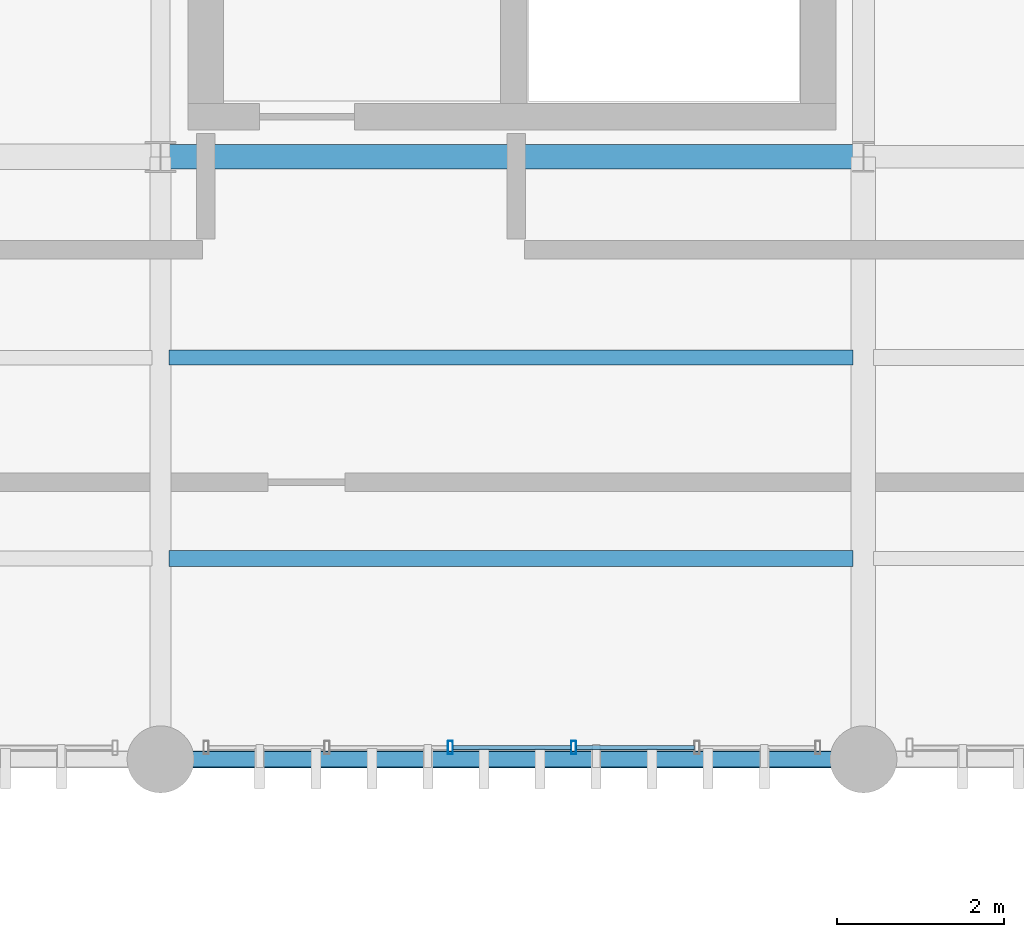
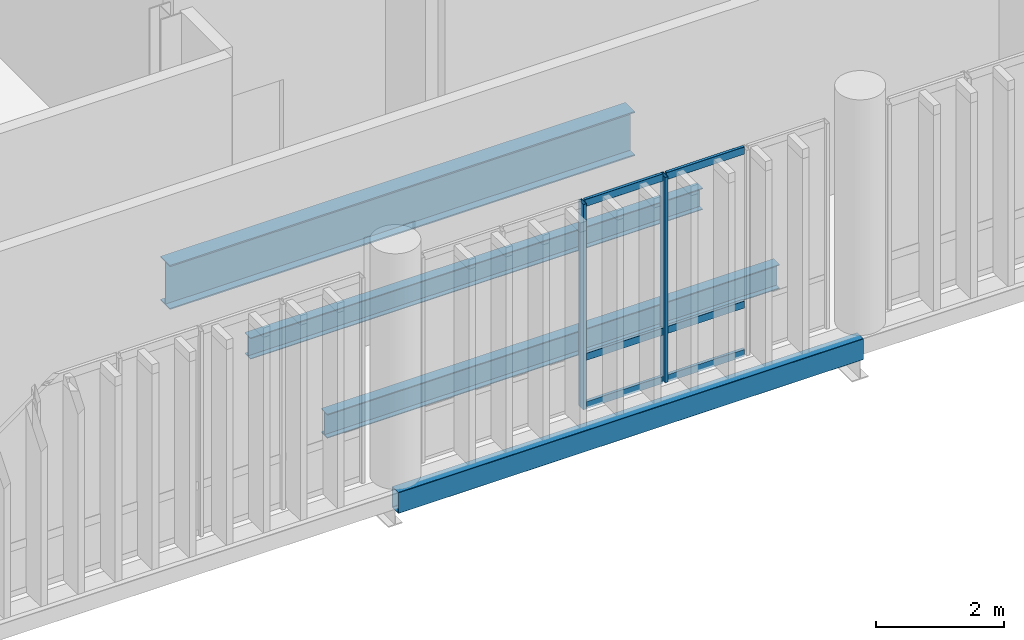
# One storey, part 28 of 68: 8 members, 4 beams, 1 element without a shape of its own.
"""IFC4 building model written with IfcOpenShell, lengths in metres."""

from ifc_helpers import new_model, si_unit, direction, frame, origin_with_axes, origin_2d_with_axis, place, context, subcontext, project, spatial, hollow_rectangle, i_section, extrude, material, material_profile, profile_set, type_object, element, aggregate, save


model = new_model("IFC4")

# Units and contexts
model_context = context("Model", 3, precision=1e-05, world=origin_with_axes(), true_north=direction((0.0, 1.0)))
body_context = subcontext(model_context, "Body", "Model", "MODEL_VIEW")
ifc_project = project(units=[si_unit("LENGTHUNIT", "METRE"), si_unit("AREAUNIT", "SQUARE_METRE"), si_unit("VOLUMEUNIT", "CUBIC_METRE"), si_unit("PLANEANGLEUNIT", "RADIAN"), si_unit("MASSUNIT", "GRAM", prefix="KILO"), si_unit("THERMODYNAMICTEMPERATUREUNIT", "KELVIN")], contexts=[model_context])

# Site, building, storey
site_placement = place(None, origin_with_axes())
site = spatial("IfcSite", under=ifc_project, at=site_placement, CompositionType="ELEMENT")
building_placement = place(site_placement, origin_with_axes())
building = spatial("IfcBuilding", under=site, at=building_placement, Name="Montbau Bow Law Courts", CompositionType="ELEMENT")
storey_placement = place(building_placement, frame((0.0, 0.0, 20.4), z_axis=(0.0, 0.0, 1.0), x_axis=(1.0, 0.0, 0.0)))
storey = spatial("IfcBuildingStorey", under=building, at=storey_placement, Name="L04", CompositionType="ELEMENT", Elevation=20.4)

# Beams
ifc_material_1 = material(Name="Steel CSA G40.21 Grade 350W (350 MPa)", Category="steel")
ifc_material_profile_1 = material_profile(ifc_material_1, i_section(OverallWidth=0.293, OverallDepth=0.846, WebThickness=0.0154, FlangeThickness=0.0244, at=origin_2d_with_axis()), Name="W840X210", Category="Main", Priority=0)
ifc_profile_set_1 = profile_set([ifc_material_profile_1], Name="Steel CSA G40.21 Grade 350W (350 MPa)")
beam_type_1 = type_object("IfcBeamType", Name="B-FLR-02", PredefinedType="BEAM", material=ifc_profile_set_1)
beam_1_placement = place(None, frame((80.4, 46.2, 19.697), z_axis=(1.0, 0.0, 0.0), x_axis=(0.0, 1.0, 0.0)))
element("IfcBeam", 1, at=beam_1_placement, inside=storey, type_object=beam_type_1, Name="BM-L04-S0925:bm2_0928", PredefinedType="BEAM", context=body_context, shape_type="SweptSolid", body=[
    extrude(i_section(OverallWidth=0.293, OverallDepth=0.846, WebThickness=0.0154, FlangeThickness=0.0244, at=origin_2d_with_axis()), origin_with_axes(), (0.0, 0.0, 1.0), 8.4),
])
ifc_material_profile_2 = material_profile(ifc_material_1, i_section(OverallWidth=0.191, OverallDepth=0.46, WebThickness=0.0099, FlangeThickness=0.016, at=origin_2d_with_axis()), Name="W460X82", Category="Main", Priority=0)
ifc_profile_set_2 = profile_set([ifc_material_profile_2], Name="Steel CSA G40.21 Grade 350W (350 MPa)")
beam_type_2 = type_object("IfcBeamType", Name="B-JST-01", PredefinedType="JOIST", material=ifc_profile_set_2)
beam_2_placement = place(None, frame((80.503, 41.4, 19.89), z_axis=(1.0, 0.0, 0.0), x_axis=(0.0, 1.0, 0.0)))
element("IfcBeam", 2, at=beam_2_placement, inside=storey, type_object=beam_type_2, Name="JST-L04-S0488:jst2_0488", PredefinedType="JOIST", context=body_context, shape_type="SweptSolid", body=[
    extrude(i_section(OverallWidth=0.191, OverallDepth=0.46, WebThickness=0.0099, FlangeThickness=0.016, at=origin_2d_with_axis()), origin_with_axes(), (0.0, 0.0, 1.0), 8.174),
])
ifc_material_profile_3 = material_profile(ifc_material_1, i_section(OverallWidth=0.179, OverallDepth=0.41, WebThickness=0.0088, FlangeThickness=0.0144, at=origin_2d_with_axis()), Name="W410X67", Category="Main", Priority=0)
ifc_profile_set_3 = profile_set([ifc_material_profile_3], Name="Steel CSA G40.21 Grade 350W (350 MPa)")
beam_type_3 = type_object("IfcBeamType", Name="B-JST-02", PredefinedType="JOIST", material=ifc_profile_set_3)
beam_3_placement = place(None, frame((80.503, 43.8, 19.915), z_axis=(1.0, 0.0, 0.0), x_axis=(0.0, 1.0, 0.0)))
element("IfcBeam", 3, at=beam_3_placement, inside=storey, type_object=beam_type_3, Name="JST-L04-S0489:jst2_0489", PredefinedType="JOIST", context=body_context, shape_type="SweptSolid", body=[
    extrude(i_section(OverallWidth=0.179, OverallDepth=0.41, WebThickness=0.0088, FlangeThickness=0.0144, at=origin_2d_with_axis()), origin_with_axes(), (0.0, 0.0, 1.0), 8.174),
])
ifc_material_2 = material(Name="Steel CSA G40.21 Grade 350WT (350 MPa)", Category="steel")
ifc_material_profile_4 = material_profile(ifc_material_2, hollow_rectangle(XDim=0.203, YDim=0.406, WallThickness=0.0127, InnerFilletRadius=0.0254, OuterFilletRadius=0.0127, at=origin_2d_with_axis()), Name="HSS406X203X13", Category="Main", Priority=0)
ifc_profile_set_4 = profile_set([ifc_material_profile_4], Name="Steel CSA G40.21 Grade 350WT (350 MPa)")
beam_type_4 = type_object("IfcBeamType", Name="B-SPN-01", PredefinedType="SPANDREL", material=ifc_profile_set_4)
beam_4_placement = place(None, frame((80.4, 39.0, 19.917), z_axis=(1.0, 0.0, 0.0), x_axis=(0.0, 1.0, 0.0)))
element("IfcBeam", 4, at=beam_4_placement, inside=storey, type_object=beam_type_4, Name="SPN-L04-S0919:bm2_0922", PredefinedType="SPANDREL", context=body_context, shape_type="SweptSolid", body=[
    extrude(hollow_rectangle(XDim=0.203, YDim=0.406, WallThickness=0.0127, InnerFilletRadius=0.0254, OuterFilletRadius=0.0127, at=origin_2d_with_axis()), origin_with_axes(), (0.0, 0.0, 1.0), 8.4),
])

# Curtain wall, members
ifc_material_3 = material(Name="Thermally Broken Extruded Aluminium AA 6063-T6", Category="aluminium")
curtain_wall_type = type_object("IfcCurtainWallType", Name="CW-CRM-01", PredefinedType="NOTDEFINED", material=ifc_material_3)
curtain_wall_placement = place(None, frame((80.915, 39.14, 20.4), z_axis=(0.0, 0.0, 1.0), x_axis=(1.0, 0.0, 0.0)))
curtain_wall = element("IfcCurtainWall", 5, at=curtain_wall_placement, inside=storey, type_object=curtain_wall_type, Name="CW-L04-197:cw_0197", PredefinedType="NOTDEFINED")
ifc_material_profile_5 = material_profile(ifc_material_3, hollow_rectangle(XDim=0.06, YDim=0.16, WallThickness=0.004, InnerFilletRadius=0.008, OuterFilletRadius=0.004, at=origin_2d_with_axis()), Name="CWM-160X60", Category="Main", Priority=0)
ifc_profile_set_5 = profile_set([ifc_material_profile_5], Name="Thermally Broken Extruded Aluminium AA 6063-T6")
member_type_1 = type_object("IfcMemberType", Name="M-MUL-03", PredefinedType="MULLION", material=ifc_profile_set_5)
member_1_placement = place(None, frame((83.863, 39.14, 20.4), z_axis=(0.0, 0.0, 1.0), x_axis=(1.0, 0.0, 0.0)))
member_1 = element("IfcMember", 6, at=member_1_placement, type_object=member_type_1, Name="CW-L04-197-M03:cw_0197_M03", PredefinedType="MULLION", context=body_context, shape_type="SweptSolid", body=[
    extrude(hollow_rectangle(XDim=0.06, YDim=0.16, WallThickness=0.004, InnerFilletRadius=0.008, OuterFilletRadius=0.004, at=origin_2d_with_axis()), origin_with_axes(), (0.0, 0.0, 1.0), 3.92),
])
member_2_placement = place(None, frame((85.337, 39.14, 20.4), z_axis=(0.0, 0.0, 1.0), x_axis=(1.0, 0.0, 0.0)))
member_2 = element("IfcMember", 7, at=member_2_placement, type_object=member_type_1, Name="CW-L04-197-M04:cw_0197_M04", PredefinedType="MULLION", context=body_context, shape_type="SweptSolid", body=[
    extrude(hollow_rectangle(XDim=0.06, YDim=0.16, WallThickness=0.004, InnerFilletRadius=0.008, OuterFilletRadius=0.004, at=origin_2d_with_axis()), origin_with_axes(), (0.0, 0.0, 1.0), 3.92),
])
ifc_material_profile_6 = material_profile(ifc_material_3, hollow_rectangle(XDim=0.055, YDim=0.14, WallThickness=0.004, InnerFilletRadius=0.008, OuterFilletRadius=0.004, at=origin_2d_with_axis()), Name="CWT-140X55", Category="Main", Priority=0)
ifc_profile_set_6 = profile_set([ifc_material_profile_6], Name="Thermally Broken Extruded Aluminium AA 6063-T6")
member_type_2 = type_object("IfcMemberType", Name="M-TRN-02", PredefinedType="USERDEFINED", material=ifc_profile_set_6)
member_3_placement = place(None, frame((83.895, 39.14, 20.427), z_axis=(1.0, 0.0, 0.0), x_axis=(0.0, 1.0, 0.0)))
member_3 = element("IfcMember", 8, at=member_3_placement, type_object=member_type_2, Name="CW-L04-197-T03-1:cw_0197_T03_1", ObjectType="TRANSOM", PredefinedType="USERDEFINED", context=body_context, shape_type="SweptSolid", body=[
    extrude(hollow_rectangle(XDim=0.055, YDim=0.14, WallThickness=0.004, InnerFilletRadius=0.008, OuterFilletRadius=0.004, at=origin_2d_with_axis()), origin_with_axes(), (0.0, 0.0, 1.0), 1.41),
])
member_4_placement = place(None, frame((83.895, 39.14, 21.35), z_axis=(1.0, 0.0, 0.0), x_axis=(0.0, 1.0, 0.0)))
member_4 = element("IfcMember", 9, at=member_4_placement, type_object=member_type_2, Name="CW-L04-197-T03-2:cw_0197_T03_2", ObjectType="TRANSOM", PredefinedType="USERDEFINED", context=body_context, shape_type="SweptSolid", body=[
    extrude(hollow_rectangle(XDim=0.055, YDim=0.14, WallThickness=0.004, InnerFilletRadius=0.008, OuterFilletRadius=0.004, at=origin_2d_with_axis()), origin_with_axes(), (0.0, 0.0, 1.0), 1.41),
])
member_5_placement = place(None, frame((83.895, 39.14, 24.293), z_axis=(1.0, 0.0, 0.0), x_axis=(0.0, 1.0, 0.0)))
member_5 = element("IfcMember", 10, at=member_5_placement, type_object=member_type_2, Name="CW-L04-197-T03-3:cw_0197_T03_3", ObjectType="TRANSOM", PredefinedType="USERDEFINED", context=body_context, shape_type="SweptSolid", body=[
    extrude(hollow_rectangle(XDim=0.055, YDim=0.14, WallThickness=0.004, InnerFilletRadius=0.008, OuterFilletRadius=0.004, at=origin_2d_with_axis()), origin_with_axes(), (0.0, 0.0, 1.0), 1.41),
])
member_6_placement = place(None, frame((85.369, 39.14, 20.427), z_axis=(1.0, 0.0, 0.0), x_axis=(0.0, 1.0, 0.0)))
member_6 = element("IfcMember", 11, at=member_6_placement, type_object=member_type_2, Name="CW-L04-197-T04-1:cw_0197_T04_1", ObjectType="TRANSOM", PredefinedType="USERDEFINED", context=body_context, shape_type="SweptSolid", body=[
    extrude(hollow_rectangle(XDim=0.055, YDim=0.14, WallThickness=0.004, InnerFilletRadius=0.008, OuterFilletRadius=0.004, at=origin_2d_with_axis()), origin_with_axes(), (0.0, 0.0, 1.0), 1.41),
])
member_7_placement = place(None, frame((85.369, 39.14, 21.35), z_axis=(1.0, 0.0, 0.0), x_axis=(0.0, 1.0, 0.0)))
member_7 = element("IfcMember", 12, at=member_7_placement, type_object=member_type_2, Name="CW-L04-197-T04-2:cw_0197_T04_2", ObjectType="TRANSOM", PredefinedType="USERDEFINED", context=body_context, shape_type="SweptSolid", body=[
    extrude(hollow_rectangle(XDim=0.055, YDim=0.14, WallThickness=0.004, InnerFilletRadius=0.008, OuterFilletRadius=0.004, at=origin_2d_with_axis()), origin_with_axes(), (0.0, 0.0, 1.0), 1.41),
])
member_8_placement = place(None, frame((85.369, 39.14, 24.293), z_axis=(1.0, 0.0, 0.0), x_axis=(0.0, 1.0, 0.0)))
member_8 = element("IfcMember", 13, at=member_8_placement, type_object=member_type_2, Name="CW-L04-197-T04-3:cw_0197_T04_3", ObjectType="TRANSOM", PredefinedType="USERDEFINED", context=body_context, shape_type="SweptSolid", body=[
    extrude(hollow_rectangle(XDim=0.055, YDim=0.14, WallThickness=0.004, InnerFilletRadius=0.008, OuterFilletRadius=0.004, at=origin_2d_with_axis()), origin_with_axes(), (0.0, 0.0, 1.0), 1.41),
])
aggregate(curtain_wall, [member_1, member_2, member_3, member_4, member_5, member_6, member_7, member_8])

save(model, "model.ifc")
